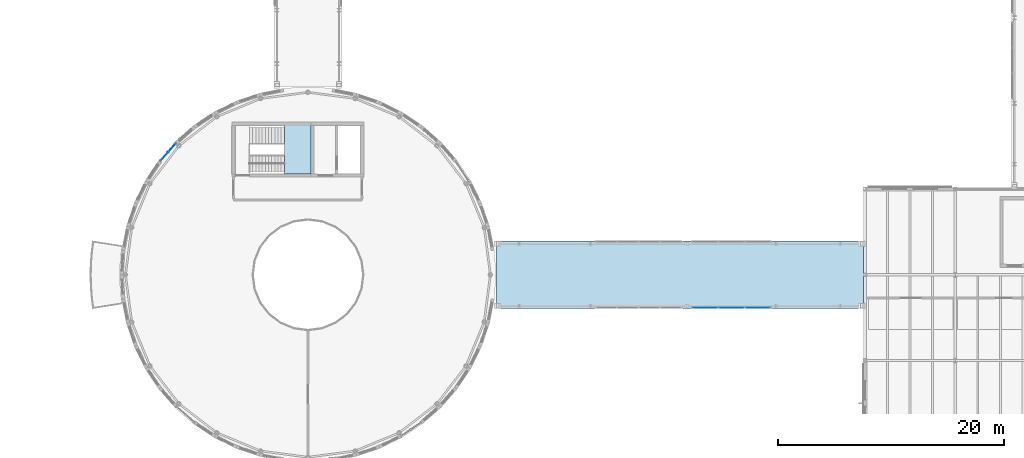
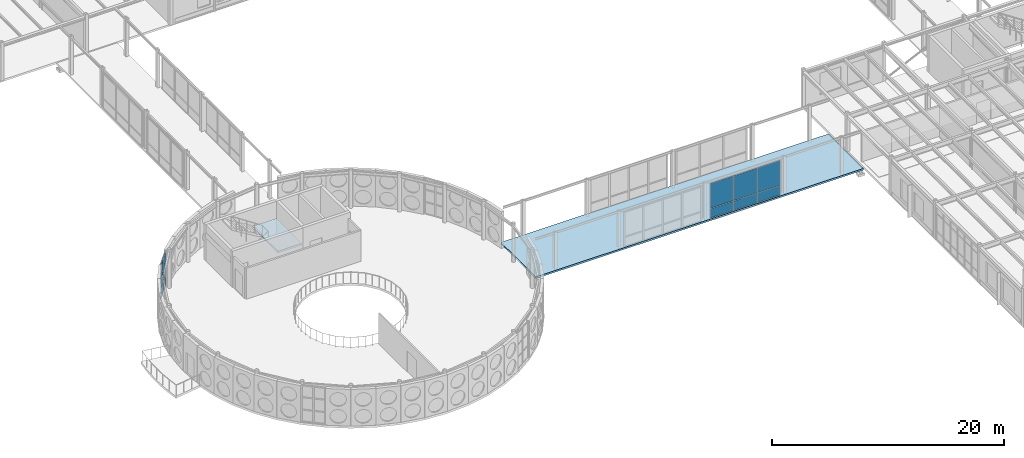
# One storey, part 123 of 165: 12 plates, 2 slabs, 3 elements without a shape of their own.
"""IFC4 building model written with IfcOpenShell, lengths in metres."""

from ifc_helpers import new_model, si_unit, direction, frame, origin, origin_2d, place, context, subcontext, project, spatial, polyline, rectangle, outline, extrude, material, layer, layer_set, type_object, element, aggregate, save


model = new_model("IFC4")

# Units and contexts
model_context = context("Model", 3, precision=1e-05, world=origin(), true_north=direction((0.0, 1.0)))
body_context = subcontext(model_context, "Body", "Model", "MODEL_VIEW")
ifc_project = project(units=[si_unit("LENGTHUNIT", "METRE"), si_unit("AREAUNIT", "SQUARE_METRE"), si_unit("VOLUMEUNIT", "CUBIC_METRE"), si_unit("PLANEANGLEUNIT", "RADIAN"), si_unit("MASSUNIT", "GRAM", prefix="KILO")], contexts=[model_context])

# Site, building, storey
site_placement = place(None, origin())
site = spatial("IfcSite", under=ifc_project, at=site_placement, CompositionType="ELEMENT")
building_placement = place(site_placement, origin())
building = spatial("IfcBuilding", under=site, at=building_placement, Name="Montecoro Central Library", CompositionType="ELEMENT")
storey_placement = place(building_placement, frame((0.0, 0.0, 5.10009765625)))
storey = spatial("IfcBuildingStorey", under=building, at=storey_placement, Name="L01", CompositionType="ELEMENT", Elevation=5.10009765625)

# Curtain wall, plates
ifc_material_1 = material(Name="Bronze-anodised aluminium and low-E glazing", Category="aluminium")
ifc_layer_1 = layer(ifc_material_1, 0.159912109375)
ifc_layer_set_1 = layer_set([ifc_layer_1], Name="Bronze-anodised aluminium and low-E glazing")
curtain_wall_type_1 = type_object("IfcCurtainWallType", Name="CWT-003", PredefinedType="NOTDEFINED", material=ifc_layer_set_1)
curtain_wall_1_placement = place(storey_placement, origin())
curtain_wall_1 = element("IfcCurtainWall", 1, at=curtain_wall_1_placement, inside=storey, type_object=curtain_wall_type_1, Name="V1-L01-CW-19", PredefinedType="NOTDEFINED")
ifc_material_2 = material(Name="Laminated low-E double glazing", Category="glass")
ifc_layer_2 = layer(ifc_material_2, 0.02587890625)
ifc_layer_set_2 = layer_set([ifc_layer_2], Name="Laminated low-E double glazing")
plate_type = type_object("IfcPlateType", Name="CWP-GLZ-01", PredefinedType="CURTAIN_PANEL", material=ifc_layer_set_2)
plate_1_placement = place(storey_placement, frame((79.55029296875, 46.66064453125, 0.059814453125), z_axis=(0.0, 0.0, 1.0), x_axis=(-0.659692012485, -0.751536059457, 0.0)))
plate_1 = element("IfcPlate", 2, at=plate_1_placement, type_object=plate_type, Name="CW-003 panel 1.1", PredefinedType="CURTAIN_PANEL", context=body_context, shape_type="SweptSolid", body=[
    extrude(rectangle(XDim=0.982421875, YDim=0.02587890625, at=origin_2d()), origin(), (0.0, 0.0, 1.0), 1.18994140625),
])
plate_2_placement = place(storey_placement, frame((79.55029296875, 46.66064453125, 1.31005859375), z_axis=(0.0, 0.0, 1.0), x_axis=(-0.659692012485, -0.751536059457, 0.0)))
plate_2 = element("IfcPlate", 3, at=plate_2_placement, type_object=plate_type, Name="CW-003 panel 1.2", PredefinedType="CURTAIN_PANEL", context=body_context, shape_type="SweptSolid", body=[
    extrude(rectangle(XDim=0.982421875, YDim=0.02587890625, at=origin_2d()), origin(), (0.0, 0.0, 1.0), 1.239990234375),
])
plate_3_placement = place(storey_placement, frame((79.55029296875, 46.66064453125, 2.60986328125), z_axis=(0.0, 0.0, 1.0), x_axis=(-0.659692012485, -0.751536059457, 0.0)))
plate_3 = element("IfcPlate", 4, at=plate_3_placement, type_object=plate_type, Name="CW-003 panel 1.3", PredefinedType="CURTAIN_PANEL", context=body_context, shape_type="SweptSolid", body=[
    extrude(rectangle(XDim=0.982421875, YDim=0.02587890625, at=origin_2d()), origin(), (0.0, 0.0, 1.0), 1.18505859375),
])
plate_4_placement = place(storey_placement, frame((78.862548828125, 45.877197265625, 0.059814453125), z_axis=(0.0, 0.0, 1.0), x_axis=(-0.659692012485, -0.751536059457, 0.0)))
plate_4 = element("IfcPlate", 5, at=plate_4_placement, type_object=plate_type, Name="CW-003 panel 2.1", PredefinedType="CURTAIN_PANEL", context=body_context, shape_type="SweptSolid", body=[
    extrude(rectangle(XDim=0.982421875, YDim=0.02587890625, at=origin_2d()), origin(), (0.0, 0.0, 1.0), 1.18994140625),
])
plate_5_placement = place(storey_placement, frame((78.862548828125, 45.877197265625, 1.31005859375), z_axis=(0.0, 0.0, 1.0), x_axis=(-0.659692012485, -0.751536059457, 0.0)))
plate_5 = element("IfcPlate", 6, at=plate_5_placement, type_object=plate_type, Name="CW-003 panel 2.2", PredefinedType="CURTAIN_PANEL", context=body_context, shape_type="SweptSolid", body=[
    extrude(rectangle(XDim=0.982421875, YDim=0.02587890625, at=origin_2d()), origin(), (0.0, 0.0, 1.0), 1.239990234375),
])
plate_6_placement = place(storey_placement, frame((78.862548828125, 45.877197265625, 2.60986328125), z_axis=(0.0, 0.0, 1.0), x_axis=(-0.659692012485, -0.751536059457, 0.0)))
plate_6 = element("IfcPlate", 7, at=plate_6_placement, type_object=plate_type, Name="CW-003 panel 2.3", PredefinedType="CURTAIN_PANEL", context=body_context, shape_type="SweptSolid", body=[
    extrude(rectangle(XDim=0.982421875, YDim=0.02587890625, at=origin_2d()), origin(), (0.0, 0.0, 1.0), 1.18505859375),
])
aggregate(curtain_wall_1, [plate_1, plate_2, plate_3, plate_4, plate_5, plate_6])

ifc_layer_3 = layer(ifc_material_1, 0.159912109375)
ifc_layer_set_3 = layer_set([ifc_layer_3], Name="Bronze-anodised aluminium and low-E glazing")
curtain_wall_type_2 = type_object("IfcCurtainWallType", Name="CWT-088", PredefinedType="NOTDEFINED", material=ifc_layer_set_3)
curtain_wall_2_placement = place(storey_placement, origin())
curtain_wall_2 = element("IfcCurtainWall", 8, at=curtain_wall_2_placement, inside=storey, type_object=curtain_wall_type_2, Name="BR-SE-L01-CW-S2", PredefinedType="NOTDEFINED")
plate_7_placement = place(storey_placement, frame((126.811767578125, 32.47998046875, 0.059814453125), z_axis=(0.0, 0.0, 1.0), x_axis=(1.0, 0.0, 0.0)))
plate_7 = element("IfcPlate", 9, at=plate_7_placement, type_object=plate_type, Name="CW-088 panel 1.1", PredefinedType="CURTAIN_PANEL", context=body_context, shape_type="SweptSolid", body=[
    extrude(rectangle(XDim=2.263427734375, YDim=0.02587890625, at=origin_2d()), origin(), (0.0, 0.0, 1.0), 0.9599609375),
])
plate_8_placement = place(storey_placement, frame((126.811767578125, 32.47998046875, 1.080078125), z_axis=(0.0, 0.0, 1.0), x_axis=(1.0, 0.0, 0.0)))
plate_8 = element("IfcPlate", 10, at=plate_8_placement, type_object=plate_type, Name="CW-088 panel 1.2", PredefinedType="CURTAIN_PANEL", context=body_context, shape_type="SweptSolid", body=[
    extrude(rectangle(XDim=2.263427734375, YDim=0.02587890625, at=origin_2d()), origin(), (0.0, 0.0, 1.0), 2.590087890625),
])
plate_9_placement = place(storey_placement, frame((129.14990234375, 32.47998046875, 0.059814453125), z_axis=(0.0, 0.0, 1.0), x_axis=(1.0, 0.0, 0.0)))
plate_9 = element("IfcPlate", 11, at=plate_9_placement, type_object=plate_type, Name="CW-088 panel 2.1", PredefinedType="CURTAIN_PANEL", context=body_context, shape_type="SweptSolid", body=[
    extrude(rectangle(XDim=2.293212890625, YDim=0.02587890625, at=origin_2d()), origin(), (0.0, 0.0, 1.0), 0.9599609375),
])
plate_10_placement = place(storey_placement, frame((129.14990234375, 32.47998046875, 1.080078125), z_axis=(0.0, 0.0, 1.0), x_axis=(1.0, 0.0, 0.0)))
plate_10 = element("IfcPlate", 12, at=plate_10_placement, type_object=plate_type, Name="CW-088 panel 2.2", PredefinedType="CURTAIN_PANEL", context=body_context, shape_type="SweptSolid", body=[
    extrude(rectangle(XDim=2.293212890625, YDim=0.02587890625, at=origin_2d()), origin(), (0.0, 0.0, 1.0), 2.590087890625),
])
plate_11_placement = place(storey_placement, frame((131.48828125, 32.47998046875, 0.059814453125), z_axis=(0.0, 0.0, 1.0), x_axis=(1.0, 0.0, 0.0)))
plate_11 = element("IfcPlate", 13, at=plate_11_placement, type_object=plate_type, Name="CW-088 panel 3.1", PredefinedType="CURTAIN_PANEL", context=body_context, shape_type="SweptSolid", body=[
    extrude(rectangle(XDim=2.263427734375, YDim=0.02587890625, at=origin_2d()), origin(), (0.0, 0.0, 1.0), 0.9599609375),
])
plate_12_placement = place(storey_placement, frame((131.48828125, 32.47998046875, 1.080078125), z_axis=(0.0, 0.0, 1.0), x_axis=(1.0, 0.0, 0.0)))
plate_12 = element("IfcPlate", 14, at=plate_12_placement, type_object=plate_type, Name="CW-088 panel 3.2", PredefinedType="CURTAIN_PANEL", context=body_context, shape_type="SweptSolid", body=[
    extrude(rectangle(XDim=2.263427734375, YDim=0.02587890625, at=origin_2d()), origin(), (0.0, 0.0, 1.0), 2.590087890625),
])
aggregate(curtain_wall_2, [plate_7, plate_8, plate_9, plate_10, plate_11, plate_12])

# Slab
ifc_material_3 = material(Name="Concrete C32/40", Category="concrete")
ifc_layer_4 = layer(ifc_material_3, 0.18505859375)
ifc_layer_set_4 = layer_set([ifc_layer_4], Name="Concrete C32/40")
slab_type_1 = type_object("IfcSlabType", Name="SL-BRG-185", PredefinedType="FLOOR", material=ifc_layer_set_4)
slab_1_placement = place(storey_placement, frame((0.0, 0.0, -0.18505859375)))
element("IfcSlab", 15, at=slab_1_placement, inside=storey, type_object=slab_type_1, Name="BR-SE Skybridge Link Bridge Slab", PredefinedType="FLOOR", context=body_context, shape_type="SweptSolid", body=[
    extrude(outline(polyline([(108.260009765625, 32.39990234375), (140.860107421875, 32.39990234375), (140.860107421875, 38.39990234375), (108.260009765625, 38.39990234375), (108.260009765625, 32.39990234375)])), origin(), (0.0, 0.0, 1.0), 0.18505859375),
])

# Stair, slab
ifc_material_4 = material(Name="Concrete C35/45", Category="concrete")
stair_type = type_object("IfcStairType", Name="STR-RET-150", PredefinedType="HALF_TURN_STAIR", material=ifc_material_4)
stair_placement = place(storey_placement, origin())
stair = element("IfcStair", 16, at=stair_placement, inside=storey, type_object=stair_type, Name="C1-L01-STR", PredefinedType="HALF_TURN_STAIR")
ifc_layer_5 = layer(ifc_material_4, 0.199951171875)
ifc_layer_set_5 = layer_set([ifc_layer_5], Name="Concrete C35/45")
slab_type_2 = type_object("IfcSlabType", Name="SL-LND-200", PredefinedType="LANDING", material=ifc_layer_set_5)
slab_2_placement = place(storey_placement, frame((0.0, 0.0, 1.83984375)))
slab_2 = element("IfcSlab", 17, at=slab_2_placement, type_object=slab_type_2, Name="ST-01 landing 1", PredefinedType="LANDING", context=body_context, shape_type="SweptSolid", body=[
    extrude(outline(polyline([(89.5, 44.320068359375), (91.8798828125, 44.320068359375), (91.8798828125, 48.679931640625), (89.5, 48.679931640625), (89.5, 44.320068359375)])), origin(), (0.0, 0.0, 1.0), 0.199951171875),
])
aggregate(stair, [slab_2])

save(model, "model.ifc")
